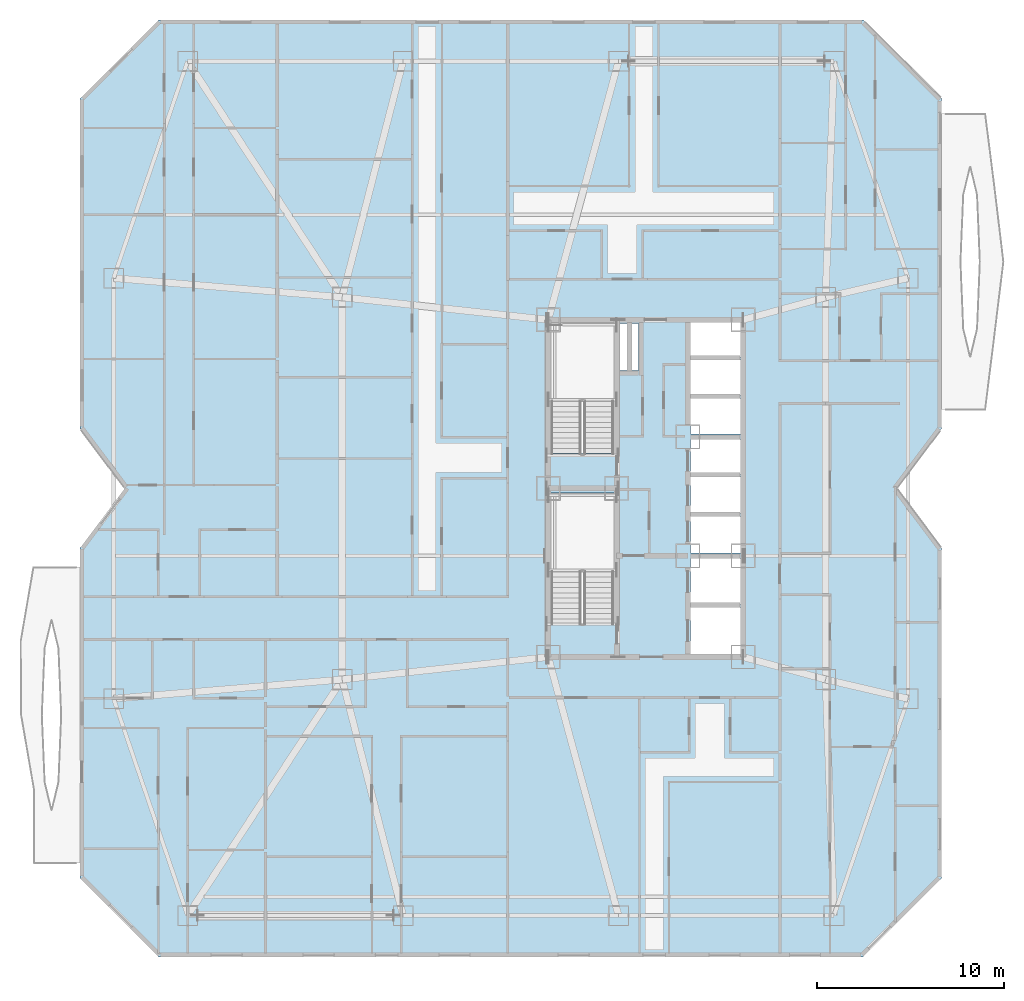
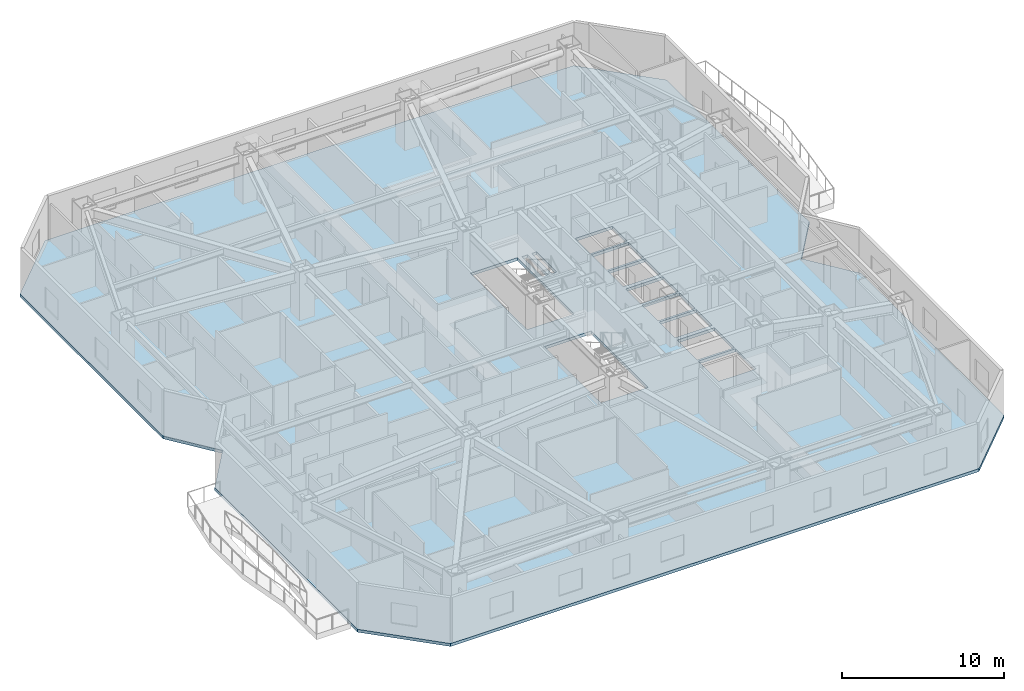
# One storey, part 3 of 17: 1 slab.
"""IFC4 building model written with IfcOpenShell, lengths in metres."""

from ifc_helpers import new_model, si_unit, direction, frame, origin, place, context, subcontext, project, spatial, polyline, outline, extrude, material, layer, layer_set, type_object, element, save


model = new_model("IFC4")

# Units and contexts
model_context = context("Model", 3, precision=1e-05, world=origin(), true_north=direction((0.0, 1.0)))
body_context = subcontext(model_context, "Body", "Model", "MODEL_VIEW")
ifc_project = project(units=[si_unit("LENGTHUNIT", "METRE"), si_unit("AREAUNIT", "SQUARE_METRE"), si_unit("VOLUMEUNIT", "CUBIC_METRE"), si_unit("PLANEANGLEUNIT", "RADIAN"), si_unit("MASSUNIT", "GRAM", prefix="KILO")], contexts=[model_context])

# Site, building, storey
site_placement = place(None, origin())
site = spatial("IfcSite", under=ifc_project, at=site_placement, CompositionType="ELEMENT")
building_placement = place(site_placement, origin())
building = spatial("IfcBuilding", under=site, at=building_placement, Name="Khamvora Tower", CompositionType="ELEMENT")
storey_placement = place(building_placement, frame((0.0, 0.0, 44.25)))
storey = spatial("IfcBuildingStorey", under=building, at=storey_placement, Name="L10", CompositionType="ELEMENT", Elevation=44.25)

# Slab
ifc_material = material(Name="Concrete C35/45", Category="concrete")
ifc_layer = layer(ifc_material, 0.219970703125)
ifc_layer_set = layer_set([ifc_layer], Name="Concrete C35/45")
slab_type = type_object("IfcSlabType", Name="SLB-TYP-220", PredefinedType="FLOOR", material=ifc_layer_set)
slab_placement = place(storey_placement, frame((0.0, 0.0, -0.219970703125)))
element("IfcSlab", 1, at=slab_placement, inside=storey, type_object=slab_type, Name="L10 structural floor slab", PredefinedType="FLOOR", context=body_context, shape_type="SweptSolid", body=[
    extrude(outline(polyline([(8.199951171875, 3.0), (45.800048828125, 3.0), (50.0, 7.199951171875), (50.0, 24.800048828125), (47.60009765625, 28.0), (50.0, 31.199951171875), (50.0, 48.800048828125), (45.800048828125, 53.0), (8.199951171875, 53.0), (4.0, 48.800048828125), (4.0, 31.199951171875), (6.39990234375, 28.0), (4.0, 24.800048828125), (4.0, 7.199951171875), (8.199951171875, 3.0)]), holes=[polyline([(32.5, 20.760009765625), (32.5, 27.75), (29.14990234375, 27.75), (29.14990234375, 20.760009765625), (32.5, 20.760009765625)]), polyline([(32.5, 29.860107421875), (32.5, 36.85009765625), (29.14990234375, 36.85009765625), (29.14990234375, 29.860107421875), (32.5, 29.860107421875)]), polyline([(36.60009765625, 19.14990234375), (39.25, 19.14990234375), (39.25, 21.64990234375), (36.60009765625, 21.64990234375), (36.60009765625, 19.14990234375)]), polyline([(36.60009765625, 21.800048828125), (39.25, 21.800048828125), (39.25, 24.25), (36.60009765625, 24.25), (36.60009765625, 21.800048828125)]), polyline([(36.60009765625, 24.550048828125), (39.25, 24.550048828125), (39.25, 26.5), (36.60009765625, 26.5), (36.60009765625, 24.550048828125)]), polyline([(36.60009765625, 26.64990234375), (39.25, 26.64990234375), (39.25, 28.60009765625), (36.60009765625, 28.60009765625), (36.60009765625, 26.64990234375)]), polyline([(36.60009765625, 28.75), (39.25, 28.75), (39.25, 30.60009765625), (36.60009765625, 30.60009765625), (36.60009765625, 28.75)]), polyline([(36.60009765625, 30.89990234375), (39.25, 30.89990234375), (39.25, 32.800048828125), (36.60009765625, 32.800048828125), (36.60009765625, 30.89990234375)]), polyline([(36.60009765625, 32.949951171875), (39.25, 32.949951171875), (39.25, 34.85009765625), (36.60009765625, 34.85009765625), (36.60009765625, 32.949951171875)]), polyline([(36.60009765625, 35.0), (39.25, 35.0), (39.25, 36.85009765625), (36.60009765625, 36.85009765625), (36.60009765625, 35.0)]), polyline([(32.800048828125, 34.300048828125), (33.199951171875, 34.300048828125), (33.199951171875, 36.800048828125), (32.800048828125, 36.800048828125), (32.800048828125, 34.300048828125)]), polyline([(33.47998046875, 34.300048828125), (33.820068359375, 34.300048828125), (33.820068359375, 36.800048828125), (33.47998046875, 36.800048828125), (33.47998046875, 34.300048828125)])]), origin(), (0.0, 0.0, 1.0), 0.219970703125),
])

save(model, "model.ifc")
